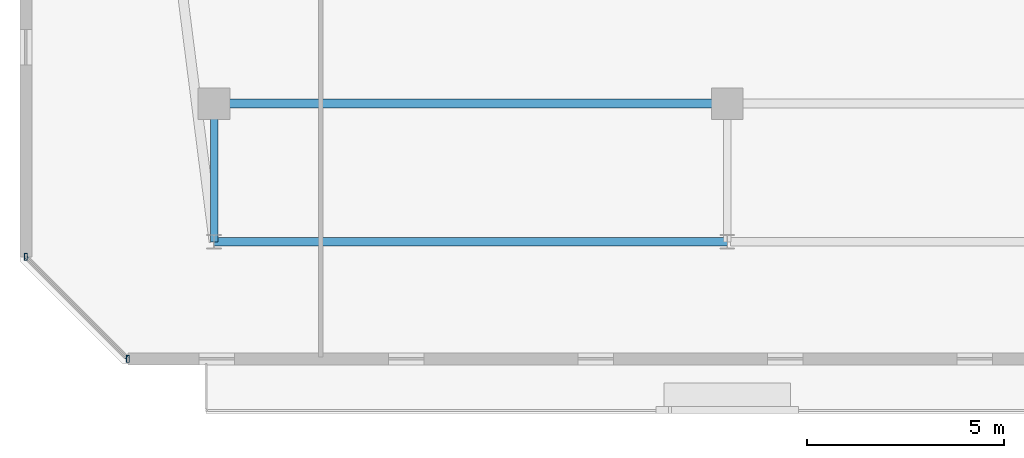
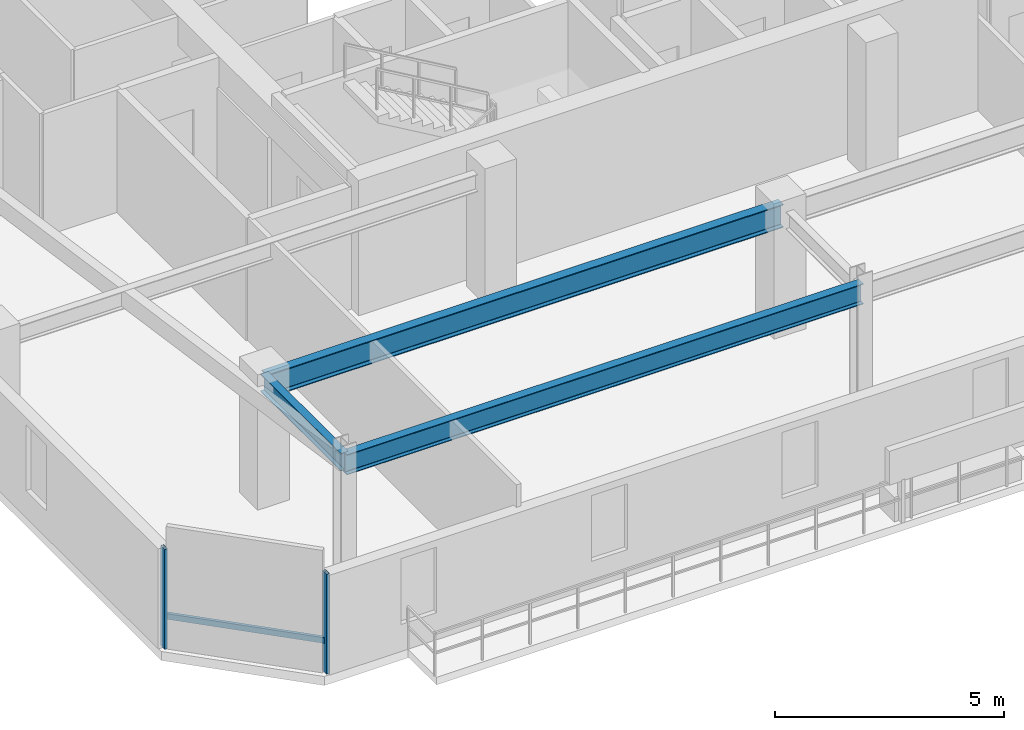
# One storey, part 5 of 35: 3 beams, 3 members, 1 element without a shape of its own.
"""IFC4 building model written with IfcOpenShell, lengths in metres."""

from ifc_helpers import new_model, si_unit, direction, frame, origin, origin_2d, place, context, subcontext, project, spatial, hollow_rectangle, i_section, extrude, material, material_profile, profile_set, type_object, element, aggregate, save


model = new_model("IFC4")

# Units and contexts
model_context = context("Model", 3, precision=1e-05, world=origin(), true_north=direction((0.0, 1.0)))
body_context = subcontext(model_context, "Body", "Model", "MODEL_VIEW")
ifc_project = project(units=[si_unit("LENGTHUNIT", "METRE"), si_unit("AREAUNIT", "SQUARE_METRE"), si_unit("VOLUMEUNIT", "CUBIC_METRE"), si_unit("PLANEANGLEUNIT", "RADIAN"), si_unit("MASSUNIT", "GRAM", prefix="KILO")], contexts=[model_context])

# Site, building, storey
site_placement = place(None, origin())
site = spatial("IfcSite", under=ifc_project, at=site_placement, CompositionType="ELEMENT")
building_placement = place(site_placement, origin())
building = spatial("IfcBuilding", under=site, at=building_placement, Name="Thornwick Lancets Civic Towers", CompositionType="ELEMENT")
storey_placement = place(building_placement, frame((0.0, 0.0, 276.300048828125)))
storey = spatial("IfcBuildingStorey", under=building, at=storey_placement, Name="L74", CompositionType="ELEMENT", Elevation=276.300048828125)

# Beams
ifc_material_1 = material(Name="Steel S355JR", Category="steel")
ifc_material_profile_1 = material_profile(ifc_material_1, i_section(OverallWidth=0.210693359375, OverallDepth=0.53955078125, WebThickness=0.01171875, FlangeThickness=0.018798828125, FilletRadius=0.0126953125, at=origin_2d()), Name="UKB 533x210x109")
ifc_profile_set_1 = profile_set([ifc_material_profile_1], Name="Steel S355JR")
beam_type_1 = type_object("IfcBeamType", Name="BM_EDGE_533_109", PredefinedType="SPANDREL", material=ifc_profile_set_1)
beam_1_placement = place(storey_placement, frame((12.5, 6.199951171875, 3.01025390625), z_axis=(1.0, 0.0, 0.0), x_axis=(0.0, 1.0, 0.0)))
element("IfcBeam", 1, at=beam_1_placement, inside=storey, type_object=beam_type_1, Name="BM-EDGE-L74-A-S0-1", PredefinedType="SPANDREL", context=body_context, shape_type="SweptSolid", body=[
    extrude(i_section(OverallWidth=0.210693359375, OverallDepth=0.53955078125, WebThickness=0.01171875, FlangeThickness=0.018798828125, FilletRadius=0.0126953125, at=origin_2d()), origin(), (0.0, 0.0, 1.0), 13.0),
])
ifc_material_profile_2 = material_profile(ifc_material_1, i_section(OverallWidth=0.230224609375, OverallDepth=0.6171875, WebThickness=0.01318359375, FlangeThickness=0.022216796875, FilletRadius=0.0126953125, at=origin_2d()), Name="UKB 610x229x140")
ifc_profile_set_2 = profile_set([ifc_material_profile_2], Name="Steel S355JR")
beam_type_2 = type_object("IfcBeamType", Name="BM_GIRD_610_140", PredefinedType="BEAM", material=ifc_profile_set_2)
beam_2_placement = place(storey_placement, frame((12.5, 9.699951171875, 2.971435546875), z_axis=(1.0, 0.0, 0.0), x_axis=(0.0, 1.0, 0.0)))
element("IfcBeam", 2, at=beam_2_placement, inside=storey, type_object=beam_type_2, Name="BM-SPINE-L74-A-0-1", PredefinedType="BEAM", context=body_context, shape_type="SweptSolid", body=[
    extrude(i_section(OverallWidth=0.230224609375, OverallDepth=0.6171875, WebThickness=0.01318359375, FlangeThickness=0.022216796875, FilletRadius=0.0126953125, at=origin_2d()), origin(), (0.0, 0.0, 1.0), 13.0),
])
ifc_material_profile_3 = material_profile(ifc_material_1, i_section(OverallWidth=0.19189453125, OverallDepth=0.46337890625, WebThickness=0.010498046875, FlangeThickness=0.017578125, FilletRadius=0.01025390625, at=origin_2d()), Name="UKB 457x191x89")
ifc_profile_set_3 = profile_set([ifc_material_profile_3], Name="Steel S355JR")
beam_type_3 = type_object("IfcBeamType", Name="BM_JOIST_457_89", PredefinedType="JOIST", material=ifc_profile_set_3)
beam_3_placement = place(storey_placement, frame((12.5, 9.699951171875, 3.04833984375), z_axis=(0.0, -1.0, 0.0), x_axis=(1.0, 0.0, 0.0)))
element("IfcBeam", 3, at=beam_3_placement, inside=storey, type_object=beam_type_3, Name="BM-RAD-L74-A01", PredefinedType="JOIST", context=body_context, shape_type="SweptSolid", body=[
    extrude(i_section(OverallWidth=0.19189453125, OverallDepth=0.46337890625, WebThickness=0.010498046875, FlangeThickness=0.017578125, FilletRadius=0.01025390625, at=origin_2d()), origin(), (0.0, 0.0, 1.0), 3.5),
])

# Curtain wall, members
ifc_material_2 = material(Name="High-zone chamfered-corner unitised glass curtain wall", Category="glass")
curtain_wall_type = type_object("IfcCurtainWallType", Name="CW_SYS_05", PredefinedType="NOTDEFINED", material=ifc_material_2)
curtain_wall_placement = place(storey_placement, origin())
curtain_wall = element("IfcCurtainWall", 4, at=curtain_wall_placement, inside=storey, type_object=curtain_wall_type, Name="L74 Curtain Wall CW-L74-A-E7", PredefinedType="NOTDEFINED")
ifc_material_3 = material(Name="Thermally broken bronze aluminium S355", Category="steel")
ifc_material_profile_4 = material_profile(ifc_material_3, hollow_rectangle(XDim=0.074951171875, YDim=0.179931640625, WallThickness=0.006103515625, at=origin_2d()), Name="RHS 180x75x6")
ifc_profile_set_4 = profile_set([ifc_material_profile_4], Name="Thermally broken bronze aluminium S355")
member_type_1 = type_object("IfcMemberType", Name="CW_MUL_180", PredefinedType="MULLION", material=ifc_profile_set_4)
member_1_placement = place(storey_placement, frame((7.7353515625, 5.818603515625, 0.0), z_axis=(0.0, 0.0, 1.0), x_axis=(1.0, 0.0, 0.0)))
member_1 = element("IfcMember", 5, at=member_1_placement, type_object=member_type_1, Name="CW-L74-A-E7 Mullion 0", PredefinedType="MULLION", context=body_context, shape_type="SweptSolid", body=[
    extrude(hollow_rectangle(XDim=0.074951171875, YDim=0.179931640625, WallThickness=0.006103515625, at=origin_2d()), origin(), (0.0, 0.0, 1.0), 2.659912109375),
])
member_2_placement = place(storey_placement, frame((10.318603515625, 3.2353515625, 0.0), z_axis=(0.0, 0.0, 1.0), x_axis=(1.0, 0.0, 0.0)))
member_2 = element("IfcMember", 6, at=member_2_placement, type_object=member_type_1, Name="CW-L74-A-E7 Mullion 1", PredefinedType="MULLION", context=body_context, shape_type="SweptSolid", body=[
    extrude(hollow_rectangle(XDim=0.074951171875, YDim=0.179931640625, WallThickness=0.006103515625, at=origin_2d()), origin(), (0.0, 0.0, 1.0), 2.659912109375),
])
ifc_material_profile_5 = material_profile(ifc_material_3, hollow_rectangle(XDim=0.074951171875, YDim=0.14990234375, WallThickness=0.0048828125, at=origin_2d()), Name="RHS 150x75x5")
ifc_profile_set_5 = profile_set([ifc_material_profile_5], Name="Thermally broken bronze aluminium S355")
member_type_2 = type_object("IfcMemberType", Name="CW_TRN_150", PredefinedType="USERDEFINED", material=ifc_profile_set_5)
member_3_placement = place(storey_placement, frame((7.74951171875, 5.804443359375, 0.849853515625), z_axis=(0.707106781187, -0.707106781187, 0.0), x_axis=(0.707106781187, 0.707106781187, 0.0)))
member_3 = element("IfcMember", 7, at=member_3_placement, type_object=member_type_2, Name="CW-L74-A-E7 Transom 0", ObjectType="TRANSOM", PredefinedType="USERDEFINED", context=body_context, shape_type="SweptSolid", body=[
    extrude(hollow_rectangle(XDim=0.074951171875, YDim=0.14990234375, WallThickness=0.0048828125, at=origin_2d()), origin(), (0.0, 0.0, 1.0), 3.61328125),
])
aggregate(curtain_wall, [member_1, member_2, member_3])

save(model, "model.ifc")
